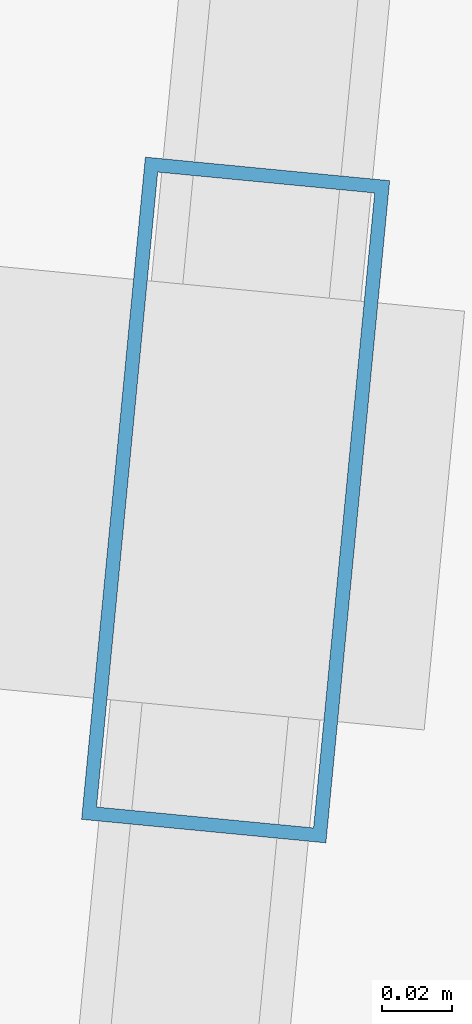
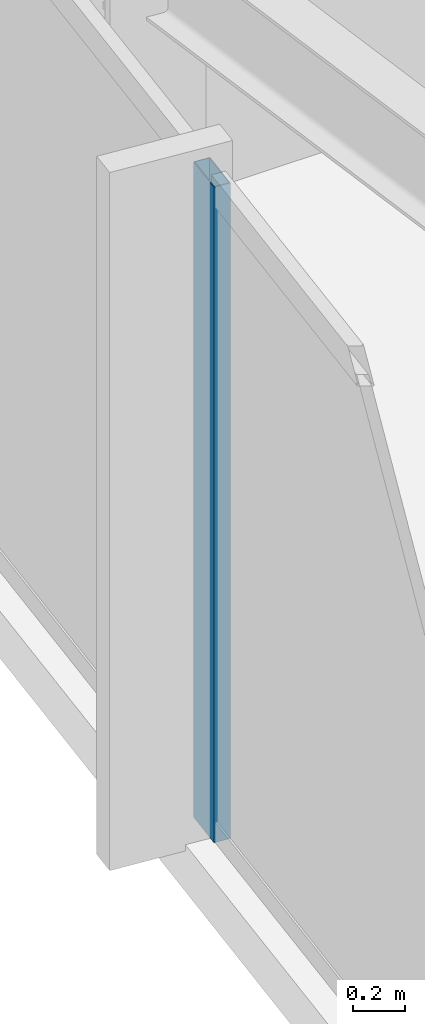
# One storey, part 4 of 37: 1 member, 1 element without a shape of its own.
"""IFC4 building model written with IfcOpenShell, lengths in metres."""

from ifc_helpers import new_model, si_unit, direction, frame, origin, origin_2d, place, context, subcontext, project, spatial, hollow_rectangle, extrude, material, material_profile, profile_set, type_object, element, aggregate, save


model = new_model("IFC4")

# Units and contexts
model_context = context("Model", 3, precision=1e-05, world=origin(), true_north=direction((0.0, 1.0)))
body_context = subcontext(model_context, "Body", "Model", "MODEL_VIEW")
ifc_project = project(units=[si_unit("LENGTHUNIT", "METRE"), si_unit("AREAUNIT", "SQUARE_METRE"), si_unit("VOLUMEUNIT", "CUBIC_METRE"), si_unit("PLANEANGLEUNIT", "RADIAN"), si_unit("MASSUNIT", "GRAM", prefix="KILO")], contexts=[model_context])

# Site, building, storey
site_placement = place(None, origin())
site = spatial("IfcSite", under=ifc_project, at=site_placement, CompositionType="ELEMENT")
building_placement = place(site_placement, origin())
building = spatial("IfcBuilding", under=site, at=building_placement, Name="Yelkora Congress Tower", CompositionType="ELEMENT")
storey_placement = place(building_placement, frame((0.0, 0.0, 175.39990234375)))
storey = spatial("IfcBuildingStorey", under=building, at=storey_placement, Name="L48", CompositionType="ELEMENT", Elevation=175.39990234375)

# Curtain wall, member
ifc_material_1 = material(Name="Anodised aluminium and insulated glass", Category="aluminium")
curtain_wall_type = type_object("IfcCurtainWallType", Name="CW-SYS-B3", PredefinedType="NOTDEFINED", material=ifc_material_1)
curtain_wall_placement = place(storey_placement, origin())
curtain_wall = element("IfcCurtainWall", 1, at=curtain_wall_placement, inside=storey, type_object=curtain_wall_type, Name="L48 Unitised Curtain Wall 5", PredefinedType="NOTDEFINED")
ifc_material_2 = material(Name="Anodised aluminium 6063-T6", Category="aluminium")
ifc_material_profile = material_profile(ifc_material_2, hollow_rectangle(XDim=0.070068359375, YDim=0.18994140625, WallThickness=0.00390625, at=origin_2d()), Name="ALU 70x190x4")
ifc_profile_set = profile_set([ifc_material_profile], Name="Anodised aluminium 6063-T6")
member_type = type_object("IfcMemberType", Name="MEM-ML-B3", PredefinedType="MULLION", material=ifc_profile_set)
member_placement = place(storey_placement, frame((1.9248046875, 22.962158203125, 0.0), z_axis=(0.0, 0.0, 1.0), x_axis=(-0.995396242473, 0.095845294465, 0.0)))
member = element("IfcMember", 2, at=member_placement, type_object=member_type, Name="CW-B3 mullion 2", PredefinedType="MULLION", context=body_context, shape_type="SweptSolid", body=[
    extrude(hollow_rectangle(XDim=0.070068359375, YDim=0.18994140625, WallThickness=0.00390625, at=origin_2d()), origin(), (0.0, 0.0, 1.0), 3.080078125),
])
aggregate(curtain_wall, [member])

save(model, "model.ifc")
